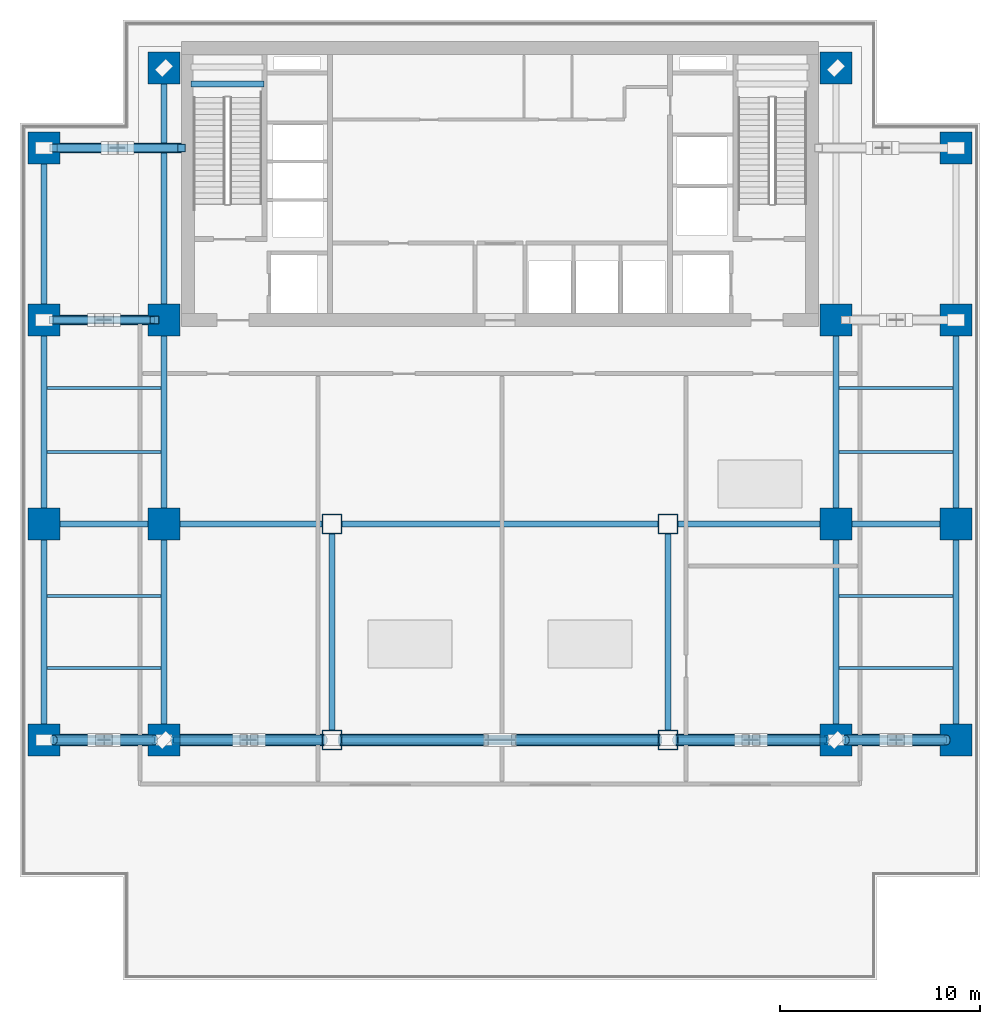
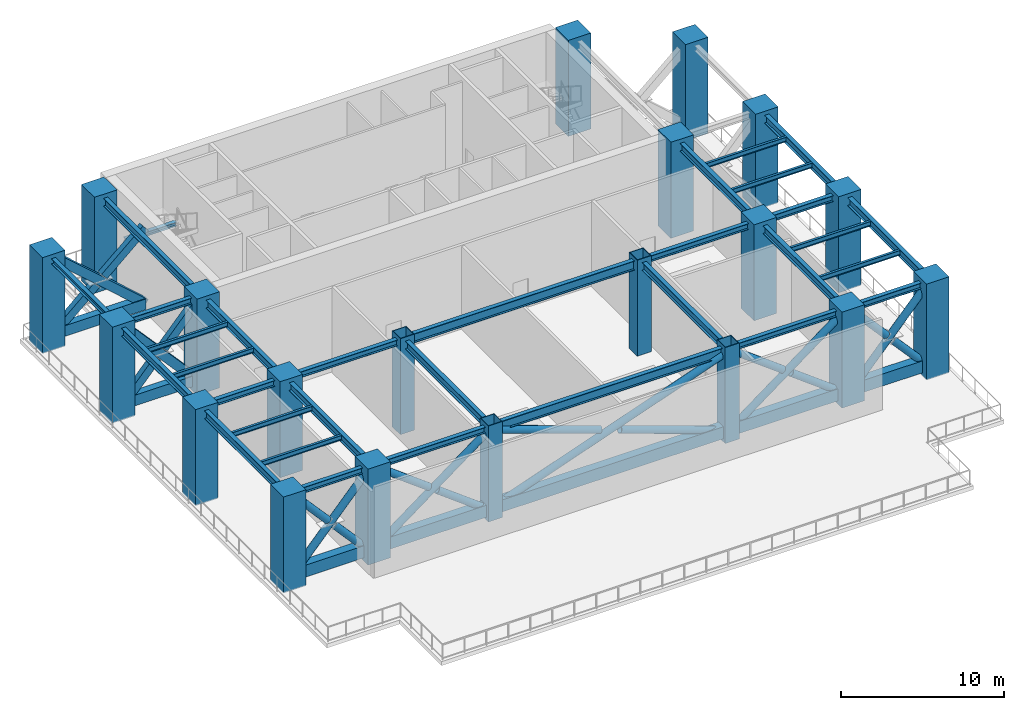
# One storey, part 1 of 8: 39 beams, 21 members, 20 columns.
"""IFC4 building model written with IfcOpenShell, lengths in metres."""

from ifc_helpers import new_model, si_unit, direction, frame, origin, origin_2d, place, context, subcontext, project, spatial, rectangle, hollow_rectangle, hollow_circle, i_section, extrude, source, transform, mapped, material, material_profile, profile_set, type_object, element, save


model = new_model("IFC4")

# Units and contexts
model_context = context("Model", 3, precision=1e-05, world=origin(), true_north=direction((0.0, 1.0)))
body_context = subcontext(model_context, "Body", "Model", "MODEL_VIEW")
ifc_project = project(units=[si_unit("LENGTHUNIT", "METRE"), si_unit("AREAUNIT", "SQUARE_METRE"), si_unit("VOLUMEUNIT", "CUBIC_METRE"), si_unit("PLANEANGLEUNIT", "RADIAN"), si_unit("MASSUNIT", "GRAM", prefix="KILO")], contexts=[model_context])

# Site, building, storey
site_placement = place(None, origin())
site = spatial("IfcSite", under=ifc_project, at=site_placement, CompositionType="ELEMENT")
building_placement = place(site_placement, origin())
building = spatial("IfcBuilding", under=site, at=building_placement, Name="Sumidabori Civic Tower", CompositionType="ELEMENT")
storey_placement = place(building_placement, frame((0.0, 0.0, 189.199951171875)))
storey = spatial("IfcBuildingStorey", under=building, at=storey_placement, Name="L49", CompositionType="ELEMENT", Elevation=189.199951171875)

# Columns
ifc_material_1 = material(Name="Concrete C60/75", Category="concrete")
ifc_material_profile_1 = material_profile(ifc_material_1, rectangle(XDim=1.60009765625, YDim=1.60009765625, at=origin_2d()), Name="RC 1600x1600")
ifc_profile_set_1 = profile_set([ifc_material_profile_1], Name="Concrete C60/75")
column_type_1 = type_object("IfcColumnType", Name="CL-MEGA-1600", PredefinedType="COLUMN", material=ifc_profile_set_1)
shared_shape_1 = source(origin(), body_context, "Body", "SweptSolid", [
    extrude(rectangle(XDim=1.60009765625, YDim=1.60009765625, at=origin_2d()), origin(), (0.0, 0.0, 1.0), 7.199951171875),
])
for number, where, z_axis, x_axis, name in (
    (1, (-16.800048828125, -10.800048828125, 0.0), (0.0, 0.0, 1.0), (1.0, 0.0, 0.0), "Column MC-W16-Y11S L49"),
    (2, (-16.800048828125, 0.0, 0.0), (0.0, 0.0, 1.0), (1.0, 0.0, 0.0), "Column MC-W16-Y00 L49"),
    (3, (-16.800048828125, 10.199951171875, 0.0), (0.0, 0.0, 1.0), (1.0, 0.0, 0.0), "Column MC-W16-Y10N L49"),
    (4, (-16.800048828125, 22.800048828125, 0.0), (0.0, 0.0, 1.0), (1.0, 0.0, 0.0), "Column MC-W16-Y23N L49"),
    (5, (16.800048828125, -10.800048828125, 0.0), (0.0, 0.0, 1.0), (1.0, 0.0, 0.0), "Column MC-E16-Y11S L49"),
    (6, (16.800048828125, 0.0, 0.0), (0.0, 0.0, 1.0), (1.0, 0.0, 0.0), "Column MC-E16-Y00 L49"),
    (7, (16.800048828125, 10.199951171875, 0.0), (0.0, 0.0, 1.0), (1.0, 0.0, 0.0), "Column MC-E16-Y10N L49"),
    (8, (16.800048828125, 22.800048828125, 0.0), (0.0, 0.0, 1.0), (1.0, 0.0, 0.0), "Column MC-E16-Y23N L49"),
    (9, (-22.800048828125, -10.800048828125, 0.0), (0.0, 0.0, 1.0), (1.0, 0.0, 0.0), "Column MC-W23-Y11S L49"),
    (10, (-22.800048828125, 0.0, 0.0), (0.0, 0.0, 1.0), (1.0, 0.0, 0.0), "Column MC-W23-Y00 L49"),
    (11, (-22.800048828125, 10.199951171875, 0.0), (0.0, 0.0, 1.0), (1.0, 0.0, 0.0), "Column MC-W23-Y10N L49"),
    (12, (-22.800048828125, 18.800048828125, 0.0), (0.0, 0.0, 1.0), (1.0, 0.0, 0.0), "Column MC-W23-Y19N L49"),
    (13, (22.800048828125, -10.800048828125, 0.0), (0.0, 0.0, 1.0), (1.0, 0.0, 0.0), "Column MC-E23-Y11S L49"),
    (14, (22.800048828125, 0.0, 0.0), (0.0, 0.0, 1.0), (1.0, 0.0, 0.0), "Column MC-E23-Y00 L49"),
    (15, (22.800048828125, 10.199951171875, 0.0), (0.0, 0.0, 1.0), (1.0, 0.0, 0.0), "Column MC-E23-Y10N L49"),
    (16, (22.800048828125, 18.800048828125, 0.0), (0.0, 0.0, 1.0), (1.0, 0.0, 0.0), "Column MC-E23-Y19N L49"),
):
    element("IfcColumn", number, at=place(storey_placement, frame(where, z_axis=z_axis, x_axis=x_axis)), inside=storey, type_object=column_type_1, Name=name, PredefinedType="COLUMN", context=body_context, shape_type="MappedRepresentation", body=[
        mapped(shared_shape_1, transform((0.0, 0.0, 0.0), x_axis=(1.0, 0.0, 0.0), y_axis=(0.0, 1.0, 0.0), z_axis=(0.0, 0.0, 1.0), scale=1.0)),
    ])
ifc_material_2 = material(Name="Steel SM570", Category="steel")
ifc_material_profile_2 = material_profile(ifc_material_2, hollow_rectangle(XDim=1.0, YDim=1.0, WallThickness=0.044921875, at=origin_2d()), Name="SHS 1000x1000x45")
ifc_profile_set_2 = profile_set([ifc_material_profile_2], Name="Steel SM570")
column_type_2 = type_object("IfcColumnType", Name="CL-PORTAL-SHS1000", PredefinedType="COLUMN", material=ifc_profile_set_2)
shared_shape_2 = source(origin(), body_context, "Body", "SweptSolid", [
    extrude(hollow_rectangle(XDim=1.0, YDim=1.0, WallThickness=0.044921875, at=origin_2d()), origin(), (0.0, 0.0, 1.0), 7.199951171875),
])
for number, where, z_axis, x_axis, name in (
    (17, (-8.39990234375, 0.0, 0.0), (0.0, 0.0, 1.0), (1.0, 0.0, 0.0), "Column MC-W08-Y00 L49"),
    (18, (-8.39990234375, -10.800048828125, 0.0), (0.0, 0.0, 1.0), (1.0, 0.0, 0.0), "Column MC-W08-Y11S L49"),
    (19, (8.39990234375, 0.0, 0.0), (0.0, 0.0, 1.0), (1.0, 0.0, 0.0), "Column MC-E08-Y00 L49"),
    (20, (8.39990234375, -10.800048828125, 0.0), (0.0, 0.0, 1.0), (1.0, 0.0, 0.0), "Column MC-E08-Y11S L49"),
):
    element("IfcColumn", number, at=place(storey_placement, frame(where, z_axis=z_axis, x_axis=x_axis)), inside=storey, type_object=column_type_2, Name=name, PredefinedType="COLUMN", context=body_context, shape_type="MappedRepresentation", body=[
        mapped(shared_shape_2, transform((0.0, 0.0, 0.0), x_axis=(1.0, 0.0, 0.0), y_axis=(0.0, 1.0, 0.0), z_axis=(0.0, 0.0, 1.0), scale=1.0)),
    ])

# Beams
ifc_material_3 = material(Name="Steel SN490", Category="steel")
ifc_material_profile_3 = material_profile(ifc_material_3, i_section(OverallWidth=0.300048828125, OverallDepth=0.300048828125, WebThickness=0.010986328125, FlangeThickness=0.01904296875, at=origin_2d()), Name="HE 300 B")
ifc_profile_set_3 = profile_set([ifc_material_profile_3], Name="Steel SN490")
beam_type_1 = type_object("IfcBeamType", Name="BM-LDG-300", PredefinedType="BEAM", material=ifc_profile_set_3)
shared_shape_3 = source(origin(), body_context, "Body", "SweptSolid", [
    extrude(i_section(OverallWidth=0.300048828125, OverallDepth=0.300048828125, WebThickness=0.010986328125, FlangeThickness=0.01904296875, at=origin_2d()), origin(), (0.0, 0.0, 1.0), 3.64990234375),
])
beam_1_placement = place(storey_placement, frame((-15.449951171875, 22.001708984375, 3.25), z_axis=(1.0, 0.0, 0.0), x_axis=(0.0, 1.0, 0.0)))
element("IfcBeam", 21, at=beam_1_placement, inside=storey, type_object=beam_type_1, Name="Stair ST-1 Landing Support Beam L49-1A", PredefinedType="BEAM", context=body_context, shape_type="MappedRepresentation", body=[
    mapped(shared_shape_3, transform((0.0, 0.0, 0.0), x_axis=(1.0, 0.0, 0.0), y_axis=(0.0, 1.0, 0.0), z_axis=(0.0, 0.0, 1.0), scale=1.0)),
])
ifc_material_profile_4 = material_profile(ifc_material_3, i_section(OverallWidth=0.300048828125, OverallDepth=0.699951171875, WebThickness=0.01708984375, FlangeThickness=0.031982421875, at=origin_2d()), Name="HE 700 B")
ifc_profile_set_4 = profile_set([ifc_material_profile_4], Name="Steel SN490")
beam_type_2 = type_object("IfcBeamType", Name="BM-GIRD-700", PredefinedType="BEAM", material=ifc_profile_set_4)
shared_shape_4 = source(origin(), body_context, "Body", "SweptSolid", [
    extrude(i_section(OverallWidth=0.300048828125, OverallDepth=0.699951171875, WebThickness=0.01708984375, FlangeThickness=0.031982421875, at=origin_2d()), origin(), (0.0, 0.0, 1.0), 15.83984375),
])
for number, where, z_axis, x_axis, name in (
    (22, (-7.919921875, -10.800048828125, 6.590087890625), (1.0, 0.0, 0.0), (0.0, 1.0, 0.0), "Primary Girder L49 GX-03"),
    (23, (-7.919921875, 0.0, 6.590087890625), (1.0, 0.0, 0.0), (0.0, 1.0, 0.0), "Primary Girder L49 GX-08"),
):
    element("IfcBeam", number, at=place(storey_placement, frame(where, z_axis=z_axis, x_axis=x_axis)), inside=storey, type_object=beam_type_2, Name=name, PredefinedType="BEAM", context=body_context, shape_type="MappedRepresentation", body=[
        mapped(shared_shape_4, transform((0.0, 0.0, 0.0), x_axis=(1.0, 0.0, 0.0), y_axis=(0.0, 1.0, 0.0), z_axis=(0.0, 0.0, 1.0), scale=1.0)),
    ])
ifc_material_profile_5 = material_profile(ifc_material_3, i_section(OverallWidth=0.300048828125, OverallDepth=0.60009765625, WebThickness=0.015380859375, FlangeThickness=0.030029296875, at=origin_2d()), Name="HE 600 B")
ifc_profile_set_5 = profile_set([ifc_material_profile_5], Name="Steel SN490")
beam_type_3 = type_object("IfcBeamType", Name="BM-GIRD-600", PredefinedType="BEAM", material=ifc_profile_set_5)
shared_shape_5 = source(origin(), body_context, "Body", "SweptSolid", [
    extrude(i_section(OverallWidth=0.300048828125, OverallDepth=0.60009765625, WebThickness=0.015380859375, FlangeThickness=0.030029296875, at=origin_2d()), origin(), (0.0, 0.0, 1.0), 9.840087890625),
])
for number, where, z_axis, x_axis, name in (
    (24, (-22.800048828125, -10.320068359375, 6.60009765625), (0.0, 1.0, 0.0), (-1.0, 0.0, 0.0), "Primary Girder L49 GY-13"),
    (25, (-16.800048828125, -10.320068359375, 6.60009765625), (0.0, 1.0, 0.0), (-1.0, 0.0, 0.0), "Primary Girder L49 GY-16"),
    (26, (-8.39990234375, -10.320068359375, 6.60009765625), (0.0, 1.0, 0.0), (-1.0, 0.0, 0.0), "Primary Girder L49 GY-19"),
    (27, (8.39990234375, -10.320068359375, 6.60009765625), (0.0, 1.0, 0.0), (-1.0, 0.0, 0.0), "Primary Girder L49 GY-20"),
    (28, (16.800048828125, -10.320068359375, 6.60009765625), (0.0, 1.0, 0.0), (-1.0, 0.0, 0.0), "Primary Girder L49 GY-21"),
    (29, (22.800048828125, -10.320068359375, 6.60009765625), (0.0, 1.0, 0.0), (-1.0, 0.0, 0.0), "Primary Girder L49 GY-24"),
):
    element("IfcBeam", number, at=place(storey_placement, frame(where, z_axis=z_axis, x_axis=x_axis)), inside=storey, type_object=beam_type_3, Name=name, PredefinedType="BEAM", context=body_context, shape_type="MappedRepresentation", body=[
        mapped(shared_shape_5, transform((0.0, 0.0, 0.0), x_axis=(1.0, 0.0, 0.0), y_axis=(0.0, 1.0, 0.0), z_axis=(0.0, 0.0, 1.0), scale=1.0)),
    ])
shared_shape_6 = source(origin(), body_context, "Body", "SweptSolid", [
    extrude(i_section(OverallWidth=0.300048828125, OverallDepth=0.60009765625, WebThickness=0.015380859375, FlangeThickness=0.030029296875, at=origin_2d()), origin(), (0.0, 0.0, 1.0), 9.239990234375),
])
for number, where, z_axis, x_axis, name in (
    (30, (-22.800048828125, 0.47998046875, 6.60009765625), (0.0, 1.0, 0.0), (-1.0, 0.0, 0.0), "Primary Girder L49 GY-14"),
    (31, (-16.800048828125, 0.47998046875, 6.60009765625), (0.0, 1.0, 0.0), (-1.0, 0.0, 0.0), "Primary Girder L49 GY-17"),
    (32, (16.800048828125, 0.47998046875, 6.60009765625), (0.0, 1.0, 0.0), (-1.0, 0.0, 0.0), "Primary Girder L49 GY-22"),
    (33, (22.800048828125, 0.47998046875, 6.60009765625), (0.0, 1.0, 0.0), (-1.0, 0.0, 0.0), "Primary Girder L49 GY-25"),
):
    element("IfcBeam", number, at=place(storey_placement, frame(where, z_axis=z_axis, x_axis=x_axis)), inside=storey, type_object=beam_type_3, Name=name, PredefinedType="BEAM", context=body_context, shape_type="MappedRepresentation", body=[
        mapped(shared_shape_6, transform((0.0, 0.0, 0.0), x_axis=(1.0, 0.0, 0.0), y_axis=(0.0, 1.0, 0.0), z_axis=(0.0, 0.0, 1.0), scale=1.0)),
    ])
ifc_material_profile_6 = material_profile(ifc_material_3, i_section(OverallWidth=0.300048828125, OverallDepth=0.39990234375, WebThickness=0.013427734375, FlangeThickness=0.02392578125, at=origin_2d()), Name="HE 400 B")
ifc_profile_set_6 = profile_set([ifc_material_profile_6], Name="Steel SN490")
beam_type_4 = type_object("IfcBeamType", Name="BM-GIRD-400", PredefinedType="BEAM", material=ifc_profile_set_6)
shared_shape_7 = source(origin(), body_context, "Body", "SweptSolid", [
    extrude(i_section(OverallWidth=0.300048828125, OverallDepth=0.39990234375, WebThickness=0.013427734375, FlangeThickness=0.02392578125, at=origin_2d()), origin(), (0.0, 0.0, 1.0), 7.64013671875),
])
beam_2_placement = place(storey_placement, frame((-22.800048828125, 10.679931640625, 6.699951171875), z_axis=(0.0, 1.0, 0.0), x_axis=(-1.0, 0.0, 0.0)))
element("IfcBeam", 34, at=beam_2_placement, inside=storey, type_object=beam_type_4, Name="Primary Girder L49 GY-15", PredefinedType="BEAM", context=body_context, shape_type="MappedRepresentation", body=[
    mapped(shared_shape_7, transform((0.0, 0.0, 0.0), x_axis=(1.0, 0.0, 0.0), y_axis=(0.0, 1.0, 0.0), z_axis=(0.0, 0.0, 1.0), scale=1.0)),
])
shared_shape_8 = source(origin(), body_context, "Body", "SweptSolid", [
    extrude(i_section(OverallWidth=0.300048828125, OverallDepth=0.60009765625, WebThickness=0.015380859375, FlangeThickness=0.030029296875, at=origin_2d()), origin(), (0.0, 0.0, 1.0), 11.64013671875),
])
beam_3_placement = place(storey_placement, frame((-16.800048828125, 10.679931640625, 6.60009765625), z_axis=(0.0, 1.0, 0.0), x_axis=(-1.0, 0.0, 0.0)))
element("IfcBeam", 35, at=beam_3_placement, inside=storey, type_object=beam_type_3, Name="Primary Girder L49 GY-18", PredefinedType="BEAM", context=body_context, shape_type="MappedRepresentation", body=[
    mapped(shared_shape_8, transform((0.0, 0.0, 0.0), x_axis=(1.0, 0.0, 0.0), y_axis=(0.0, 1.0, 0.0), z_axis=(0.0, 0.0, 1.0), scale=1.0)),
])
ifc_material_profile_7 = material_profile(ifc_material_3, i_section(OverallWidth=0.169921875, OverallDepth=0.360107421875, WebThickness=0.008056640625, FlangeThickness=0.0126953125, at=origin_2d()), Name="IPE 360")
ifc_profile_set_7 = profile_set([ifc_material_profile_7], Name="Steel SN490")
beam_type_5 = type_object("IfcBeamType", Name="BM-JST-360", PredefinedType="JOIST", material=ifc_profile_set_7)
shared_shape_9 = source(origin(), body_context, "Body", "SweptSolid", [
    extrude(i_section(OverallWidth=0.169921875, OverallDepth=0.360107421875, WebThickness=0.008056640625, FlangeThickness=0.0126953125, at=origin_2d()), origin(), (0.0, 0.0, 1.0), 5.699951171875),
])
for number, where, z_axis, x_axis, name in (
    (36, (-22.64990234375, -7.199951171875, 6.719970703125), (1.0, 0.0, 0.0), (0.0, 1.0, 0.0), "Outer Bay Floor Joist L49 JSTO-27"),
    (37, (16.949951171875, -7.199951171875, 6.719970703125), (1.0, 0.0, 0.0), (0.0, 1.0, 0.0), "Outer Bay Floor Joist L49 JSTO-28"),
    (38, (-22.64990234375, -3.60009765625, 6.719970703125), (1.0, 0.0, 0.0), (0.0, 1.0, 0.0), "Outer Bay Floor Joist L49 JSTO-29"),
    (39, (16.949951171875, -3.60009765625, 6.719970703125), (1.0, 0.0, 0.0), (0.0, 1.0, 0.0), "Outer Bay Floor Joist L49 JSTO-30"),
    (40, (-22.64990234375, 3.60009765625, 6.719970703125), (1.0, 0.0, 0.0), (0.0, 1.0, 0.0), "Outer Bay Floor Joist L49 JSTO-31"),
    (41, (16.949951171875, 3.60009765625, 6.719970703125), (1.0, 0.0, 0.0), (0.0, 1.0, 0.0), "Outer Bay Floor Joist L49 JSTO-32"),
    (42, (-22.64990234375, 6.800048828125, 6.719970703125), (1.0, 0.0, 0.0), (0.0, 1.0, 0.0), "Outer Bay Floor Joist L49 JSTO-33"),
    (43, (16.949951171875, 6.800048828125, 6.719970703125), (1.0, 0.0, 0.0), (0.0, 1.0, 0.0), "Outer Bay Floor Joist L49 JSTO-34"),
):
    element("IfcBeam", number, at=place(storey_placement, frame(where, z_axis=z_axis, x_axis=x_axis)), inside=storey, type_object=beam_type_5, Name=name, PredefinedType="JOIST", context=body_context, shape_type="MappedRepresentation", body=[
        mapped(shared_shape_9, transform((0.0, 0.0, 0.0), x_axis=(1.0, 0.0, 0.0), y_axis=(0.0, 1.0, 0.0), z_axis=(0.0, 0.0, 1.0), scale=1.0)),
    ])
ifc_material_profile_8 = material_profile(ifc_material_3, i_section(OverallWidth=0.300048828125, OverallDepth=0.449951171875, WebThickness=0.013916015625, FlangeThickness=0.02587890625, at=origin_2d()), Name="HE 450 B")
ifc_profile_set_8 = profile_set([ifc_material_profile_8], Name="Steel SN490")
beam_type_6 = type_object("IfcBeamType", Name="BM-GIRD-450", PredefinedType="BEAM", material=ifc_profile_set_8)
shared_shape_10 = source(origin(), body_context, "Body", "SweptSolid", [
    extrude(i_section(OverallWidth=0.300048828125, OverallDepth=0.449951171875, WebThickness=0.013916015625, FlangeThickness=0.02587890625, at=origin_2d()), origin(), (0.0, 0.0, 1.0), 7.440185546875),
])
for number, where, z_axis, x_axis, name in (
    (44, (-16.320068359375, -10.800048828125, 6.675048828125), (1.0, 0.0, 0.0), (0.0, 1.0, 0.0), "Primary Girder L49 GX-02"),
    (45, (8.8798828125, -10.800048828125, 6.675048828125), (1.0, 0.0, 0.0), (0.0, 1.0, 0.0), "Primary Girder L49 GX-04"),
    (46, (-16.320068359375, 0.0, 6.675048828125), (1.0, 0.0, 0.0), (0.0, 1.0, 0.0), "Primary Girder L49 GX-07"),
    (47, (8.8798828125, 0.0, 6.675048828125), (1.0, 0.0, 0.0), (0.0, 1.0, 0.0), "Primary Girder L49 GX-09"),
):
    element("IfcBeam", number, at=place(storey_placement, frame(where, z_axis=z_axis, x_axis=x_axis)), inside=storey, type_object=beam_type_6, Name=name, PredefinedType="BEAM", context=body_context, shape_type="MappedRepresentation", body=[
        mapped(shared_shape_10, transform((0.0, 0.0, 0.0), x_axis=(1.0, 0.0, 0.0), y_axis=(0.0, 1.0, 0.0), z_axis=(0.0, 0.0, 1.0), scale=1.0)),
    ])
shared_shape_11 = source(origin(), body_context, "Body", "SweptSolid", [
    extrude(i_section(OverallWidth=0.300048828125, OverallDepth=0.449951171875, WebThickness=0.013916015625, FlangeThickness=0.02587890625, at=origin_2d()), origin(), (0.0, 0.0, 1.0), 5.0400390625),
])
for number, where, z_axis, x_axis, name in (
    (48, (-22.320068359375, -10.800048828125, 6.675048828125), (1.0, 0.0, 0.0), (0.0, 1.0, 0.0), "Primary Girder L49 GX-01"),
    (49, (17.280029296875, -10.800048828125, 6.675048828125), (1.0, 0.0, 0.0), (0.0, 1.0, 0.0), "Primary Girder L49 GX-05"),
    (50, (-22.320068359375, 0.0, 6.675048828125), (1.0, 0.0, 0.0), (0.0, 1.0, 0.0), "Primary Girder L49 GX-06"),
    (51, (17.280029296875, 0.0, 6.675048828125), (1.0, 0.0, 0.0), (0.0, 1.0, 0.0), "Primary Girder L49 GX-10"),
    (52, (-22.320068359375, 10.199951171875, 6.675048828125), (1.0, 0.0, 0.0), (0.0, 1.0, 0.0), "Primary Girder L49 GX-11"),
):
    element("IfcBeam", number, at=place(storey_placement, frame(where, z_axis=z_axis, x_axis=x_axis)), inside=storey, type_object=beam_type_6, Name=name, PredefinedType="BEAM", context=body_context, shape_type="MappedRepresentation", body=[
        mapped(shared_shape_11, transform((0.0, 0.0, 0.0), x_axis=(1.0, 0.0, 0.0), y_axis=(0.0, 1.0, 0.0), z_axis=(0.0, 0.0, 1.0), scale=1.0)),
    ])
ifc_material_profile_9 = material_profile(ifc_material_3, hollow_rectangle(XDim=0.60009765625, YDim=0.89990234375, WallThickness=0.0400390625, at=origin_2d()), Name="RHS 900x600x40")
ifc_profile_set_9 = profile_set([ifc_material_profile_9], Name="Steel SN490")
beam_type_7 = type_object("IfcBeamType", Name="BM-BELT-CHORD", PredefinedType="BEAM", material=ifc_profile_set_9)
shared_shape_12 = source(origin(), body_context, "Body", "SweptSolid", [
    extrude(hollow_rectangle(XDim=0.60009765625, YDim=0.89990234375, WallThickness=0.0400390625, at=origin_2d()), origin(), (0.0, 0.0, 1.0), 5.0400390625),
])
for number, where, z_axis, x_axis, name in (
    (53, (-22.320068359375, -10.800048828125, 0.699951171875), (1.0, 0.0, 0.0), (0.0, 1.0, 0.0), "Belt Truss Bottom Chord L49-1"),
    (54, (17.280029296875, -10.800048828125, 0.699951171875), (1.0, 0.0, 0.0), (0.0, 1.0, 0.0), "Belt Truss Bottom Chord L49-5"),
):
    element("IfcBeam", number, at=place(storey_placement, frame(where, z_axis=z_axis, x_axis=x_axis)), inside=storey, type_object=beam_type_7, Name=name, PredefinedType="BEAM", context=body_context, shape_type="MappedRepresentation", body=[
        mapped(shared_shape_12, transform((0.0, 0.0, 0.0), x_axis=(1.0, 0.0, 0.0), y_axis=(0.0, 1.0, 0.0), z_axis=(0.0, 0.0, 1.0), scale=1.0)),
    ])

# Members
ifc_material_profile_10 = material_profile(ifc_material_3, hollow_circle(Radius=0.25390625, WallThickness=0.02490234375, at=origin_2d()), Name="CHS 508x25")
ifc_profile_set_10 = profile_set([ifc_material_profile_10], Name="Steel SN490")
member_type_1 = type_object("IfcMemberType", Name="MB-BT-DIAG", PredefinedType="BRACE", material=ifc_profile_set_10)
shared_shape_13 = source(origin(), body_context, "Body", "SweptSolid", [
    extrude(hollow_circle(Radius=0.25390625, WallThickness=0.02490234375, at=origin_2d()), origin(), (0.0, 0.0, 1.0), 7.5712890625),
])
for number, where, z_axis, x_axis, name in (
    (55, (-22.320068359375, -10.800048828125, 0.699951171875), (0.665667751905, 0.0, 0.746248245608), (0.0, 1.0, 0.0), "Belt Truss Diagonal L49-D1-1"),
    (56, (17.280029296875, -10.800048828125, 0.699951171875), (0.665667751905, 0.0, 0.746248245608), (0.0, 1.0, 0.0), "Belt Truss Diagonal L49-D1-5"),
):
    element("IfcMember", number, at=place(storey_placement, frame(where, z_axis=z_axis, x_axis=x_axis)), inside=storey, type_object=member_type_1, Name=name, PredefinedType="BRACE", context=body_context, shape_type="MappedRepresentation", body=[
        mapped(shared_shape_13, transform((0.0, 0.0, 0.0), x_axis=(1.0, 0.0, 0.0), y_axis=(0.0, 1.0, 0.0), z_axis=(0.0, 0.0, 1.0), scale=1.0)),
    ])
shared_shape_14 = source(origin(), body_context, "Body", "SweptSolid", [
    extrude(hollow_circle(Radius=0.25390625, WallThickness=0.02490234375, at=origin_2d()), origin(), (0.0, 0.0, 1.0), 3.48876953125),
])
for number, where, z_axis, x_axis, name in (
    (57, (-22.320068359375, -10.800048828125, 6.35009765625), (0.665687524963, 0.0, -0.746230607191), (0.0, 1.0, 0.0), "Belt Truss Diagonal L49-D2-1 Lower Segment"),
    (58, (-19.602294921875, -10.800048828125, 3.303466796875), (0.665648555055, 0.0, -0.746265369124), (0.0, 1.0, 0.0), "Belt Truss Diagonal L49-D2-1 Upper Segment"),
    (59, (17.280029296875, -10.800048828125, 6.35009765625), (0.665648555055, 0.0, -0.746265369124), (0.0, 1.0, 0.0), "Belt Truss Diagonal L49-D2-5 Lower Segment"),
    (60, (19.99755859375, -10.800048828125, 3.303466796875), (0.665687524963, 0.0, -0.746230607191), (0.0, 1.0, 0.0), "Belt Truss Diagonal L49-D2-5 Upper Segment"),
):
    element("IfcMember", number, at=place(storey_placement, frame(where, z_axis=z_axis, x_axis=x_axis)), inside=storey, type_object=member_type_1, Name=name, PredefinedType="BRACE", context=body_context, shape_type="MappedRepresentation", body=[
        mapped(shared_shape_14, transform((0.0, 0.0, 0.0), x_axis=(1.0, 0.0, 0.0), y_axis=(0.0, 1.0, 0.0), z_axis=(0.0, 0.0, 1.0), scale=1.0)),
    ])

# Beam
ifc_material_profile_11 = material_profile(ifc_material_3, hollow_rectangle(XDim=0.5, YDim=0.800048828125, WallThickness=0.031982421875, at=origin_2d()), Name="RHS 800x500x32")
ifc_profile_set_11 = profile_set([ifc_material_profile_11], Name="Steel SN490")
beam_type_8 = type_object("IfcBeamType", Name="BM-OUTR-CHORD", PredefinedType="BEAM", material=ifc_profile_set_11)
shared_shape_15 = source(origin(), body_context, "Body", "SweptSolid", [
    extrude(hollow_rectangle(XDim=0.5, YDim=0.800048828125, WallThickness=0.031982421875, at=origin_2d()), origin(), (0.0, 0.0, 1.0), 5.0400390625),
])
beam_4_placement = place(storey_placement, frame((-17.280029296875, 10.199951171875, 0.699951171875), z_axis=(-1.0, 0.0, 0.0), x_axis=(0.0, -1.0, 0.0)))
element("IfcBeam", 61, at=beam_4_placement, inside=storey, type_object=beam_type_8, Name="Outrigger Truss Chord L49 W1", PredefinedType="BEAM", context=body_context, shape_type="MappedRepresentation", body=[
    mapped(shared_shape_15, transform((0.0, 0.0, 0.0), x_axis=(1.0, 0.0, 0.0), y_axis=(0.0, 1.0, 0.0), z_axis=(0.0, 0.0, 1.0), scale=1.0)),
])

# Members
ifc_material_profile_12 = material_profile(ifc_material_3, hollow_rectangle(XDim=0.39990234375, YDim=0.60009765625, WallThickness=0.02490234375, at=origin_2d()), Name="RHS 600x400x25")
ifc_profile_set_12 = profile_set([ifc_material_profile_12], Name="Steel SN490")
member_type_2 = type_object("IfcMemberType", Name="MB-OT-DIAG", PredefinedType="BRACE", material=ifc_profile_set_12)
shared_shape_16 = source(origin(), body_context, "Body", "SweptSolid", [
    extrude(hollow_rectangle(XDim=0.39990234375, YDim=0.60009765625, WallThickness=0.02490234375, at=origin_2d()), origin(), (0.0, 0.0, 1.0), 7.5712890625),
])
member_1_placement = place(storey_placement, frame((-17.280029296875, 10.199951171875, 0.699951171875), z_axis=(-0.665667751905, 0.0, 0.746248245608), x_axis=(0.0, -1.0, 0.0)))
element("IfcMember", 62, at=member_1_placement, inside=storey, type_object=member_type_2, Name="Outrigger Truss Diagonal L49 W1A", PredefinedType="BRACE", context=body_context, shape_type="MappedRepresentation", body=[
    mapped(shared_shape_16, transform((0.0, 0.0, 0.0), x_axis=(1.0, 0.0, 0.0), y_axis=(0.0, 1.0, 0.0), z_axis=(0.0, 0.0, 1.0), scale=1.0)),
])
shared_shape_17 = source(origin(), body_context, "Body", "SweptSolid", [
    extrude(hollow_rectangle(XDim=0.39990234375, YDim=0.60009765625, WallThickness=0.02490234375, at=origin_2d()), origin(), (0.0, 0.0, 1.0), 3.437255859375),
])
for number, where, z_axis, x_axis, name in (
    (63, (-17.280029296875, 10.199951171875, 6.35009765625), (-0.665685410802, 0.0, -0.746232493159), (0.0, -1.0, 0.0), "Outrigger Truss Diagonal L49 W1B Lower Segment"),
    (64, (-20.031982421875, 10.199951171875, 3.26513671875), (-0.665650127754, 0.0, -0.746263966316), (0.0, -1.0, 0.0), "Outrigger Truss Diagonal L49 W1B Upper Segment"),
):
    element("IfcMember", number, at=place(storey_placement, frame(where, z_axis=z_axis, x_axis=x_axis)), inside=storey, type_object=member_type_2, Name=name, PredefinedType="BRACE", context=body_context, shape_type="MappedRepresentation", body=[
        mapped(shared_shape_17, transform((0.0, 0.0, 0.0), x_axis=(1.0, 0.0, 0.0), y_axis=(0.0, 1.0, 0.0), z_axis=(0.0, 0.0, 1.0), scale=1.0)),
    ])

# Beam
shared_shape_18 = source(origin(), body_context, "Body", "SweptSolid", [
    extrude(hollow_rectangle(XDim=0.5, YDim=0.800048828125, WallThickness=0.031982421875, at=origin_2d()), origin(), (0.0, 0.0, 1.0), 6.39501953125),
])
beam_5_placement = place(storey_placement, frame((-15.925048828125, 18.800048828125, 0.699951171875), z_axis=(-1.0, 0.0, 0.0), x_axis=(0.0, -1.0, 0.0)))
element("IfcBeam", 65, at=beam_5_placement, inside=storey, type_object=beam_type_8, Name="Outrigger Truss Chord L49 W2", PredefinedType="BEAM", context=body_context, shape_type="MappedRepresentation", body=[
    mapped(shared_shape_18, transform((0.0, 0.0, 0.0), x_axis=(1.0, 0.0, 0.0), y_axis=(0.0, 1.0, 0.0), z_axis=(0.0, 0.0, 1.0), scale=1.0)),
])

# Members
shared_shape_19 = source(origin(), body_context, "Body", "SweptSolid", [
    extrude(hollow_rectangle(XDim=0.39990234375, YDim=0.60009765625, WallThickness=0.02490234375, at=origin_2d()), origin(), (0.0, 0.0, 1.0), 8.533447265625),
])
member_2_placement = place(storey_placement, frame((-15.925048828125, 18.800048828125, 0.699951171875), z_axis=(-0.749402703282, 0.0, 0.662114482785), x_axis=(0.0, -1.0, 0.0)))
element("IfcMember", 66, at=member_2_placement, inside=storey, type_object=member_type_2, Name="Outrigger Truss Diagonal L49 W2A", PredefinedType="BRACE", context=body_context, shape_type="MappedRepresentation", body=[
    mapped(shared_shape_19, transform((0.0, 0.0, 0.0), x_axis=(1.0, 0.0, 0.0), y_axis=(0.0, 1.0, 0.0), z_axis=(0.0, 0.0, 1.0), scale=1.0)),
])
shared_shape_20 = source(origin(), body_context, "Body", "SweptSolid", [
    extrude(hollow_rectangle(XDim=0.39990234375, YDim=0.60009765625, WallThickness=0.02490234375, at=origin_2d()), origin(), (0.0, 0.0, 1.0), 3.9150390625),
])
member_3_placement = place(storey_placement, frame((-15.925048828125, 18.800048828125, 6.35009765625), z_axis=(-0.749380895254, 0.0, -0.662139165001), x_axis=(0.0, -1.0, 0.0)))
element("IfcMember", 67, at=member_3_placement, inside=storey, type_object=member_type_2, Name="Outrigger Truss Diagonal L49 W2B Lower Segment", PredefinedType="BRACE", context=body_context, shape_type="MappedRepresentation", body=[
    mapped(shared_shape_20, transform((0.0, 0.0, 0.0), x_axis=(1.0, 0.0, 0.0), y_axis=(0.0, 1.0, 0.0), z_axis=(0.0, 0.0, 1.0), scale=1.0)),
])

# Beams
shared_shape_21 = source(origin(), body_context, "Body", "SweptSolid", [
    extrude(hollow_rectangle(XDim=0.60009765625, YDim=0.89990234375, WallThickness=0.0400390625, at=origin_2d()), origin(), (0.0, 0.0, 1.0), 7.5400390625),
])
for number, where, z_axis, x_axis, name in (
    (68, (-16.320068359375, -10.800048828125, 0.699951171875), (1.0, 0.0, 0.0), (0.0, 1.0, 0.0), "Belt Truss Bottom Chord L49-2"),
    (69, (8.780029296875, -10.800048828125, 0.699951171875), (1.0, 0.0, 0.0), (0.0, 1.0, 0.0), "Belt Truss Bottom Chord L49-4"),
):
    element("IfcBeam", number, at=place(storey_placement, frame(where, z_axis=z_axis, x_axis=x_axis)), inside=storey, type_object=beam_type_7, Name=name, PredefinedType="BEAM", context=body_context, shape_type="MappedRepresentation", body=[
        mapped(shared_shape_21, transform((0.0, 0.0, 0.0), x_axis=(1.0, 0.0, 0.0), y_axis=(0.0, 1.0, 0.0), z_axis=(0.0, 0.0, 1.0), scale=1.0)),
    ])

# Members
shared_shape_22 = source(origin(), body_context, "Body", "SweptSolid", [
    extrude(hollow_circle(Radius=0.25390625, WallThickness=0.02490234375, at=origin_2d()), origin(), (0.0, 0.0, 1.0), 9.422119140625),
])
for number, where, z_axis, x_axis, name in (
    (70, (-16.320068359375, -10.800048828125, 0.699951171875), (0.800248681, 0.0, 0.5996682821), (0.0, 1.0, 0.0), "Belt Truss Diagonal L49-D1-2"),
    (71, (8.780029296875, -10.800048828125, 0.699951171875), (0.800248681, 0.0, 0.5996682821), (0.0, 1.0, 0.0), "Belt Truss Diagonal L49-D1-4"),
):
    element("IfcMember", number, at=place(storey_placement, frame(where, z_axis=z_axis, x_axis=x_axis)), inside=storey, type_object=member_type_1, Name=name, PredefinedType="BRACE", context=body_context, shape_type="MappedRepresentation", body=[
        mapped(shared_shape_22, transform((0.0, 0.0, 0.0), x_axis=(1.0, 0.0, 0.0), y_axis=(0.0, 1.0, 0.0), z_axis=(0.0, 0.0, 1.0), scale=1.0)),
    ])
shared_shape_23 = source(origin(), body_context, "Body", "SweptSolid", [
    extrude(hollow_circle(Radius=0.25390625, WallThickness=0.02490234375, at=origin_2d()), origin(), (0.0, 0.0, 1.0), 4.359619140625),
])
for number, where, z_axis, x_axis, name in (
    (72, (-16.320068359375, -10.800048828125, 6.35009765625), (0.800255292423, 0.0, -0.599659459151), (0.0, 1.0, 0.0), "Belt Truss Diagonal L49-D2-2 Lower Segment"),
    (73, (-12.268798828125, -10.800048828125, 3.314208984375), (0.800255292423, 0.0, -0.599659459151), (0.0, 1.0, 0.0), "Belt Truss Diagonal L49-D2-2 Upper Segment"),
    (74, (8.780029296875, -10.800048828125, 6.35009765625), (0.800255292423, 0.0, -0.599659459151), (0.0, 1.0, 0.0), "Belt Truss Diagonal L49-D2-4 Lower Segment"),
    (75, (12.831298828125, -10.800048828125, 3.314208984375), (0.800255292423, 0.0, -0.599659459151), (0.0, 1.0, 0.0), "Belt Truss Diagonal L49-D2-4 Upper Segment"),
):
    element("IfcMember", number, at=place(storey_placement, frame(where, z_axis=z_axis, x_axis=x_axis)), inside=storey, type_object=member_type_1, Name=name, PredefinedType="BRACE", context=body_context, shape_type="MappedRepresentation", body=[
        mapped(shared_shape_23, transform((0.0, 0.0, 0.0), x_axis=(1.0, 0.0, 0.0), y_axis=(0.0, 1.0, 0.0), z_axis=(0.0, 0.0, 1.0), scale=1.0)),
    ])

# Beam
shared_shape_24 = source(origin(), body_context, "Body", "SweptSolid", [
    extrude(hollow_rectangle(XDim=0.60009765625, YDim=0.89990234375, WallThickness=0.0400390625, at=origin_2d()), origin(), (0.0, 0.0, 1.0), 16.0400390625),
])
beam_6_placement = place(storey_placement, frame((-8.02001953125, -10.800048828125, 0.699951171875), z_axis=(1.0, 0.0, 0.0), x_axis=(0.0, 1.0, 0.0)))
element("IfcBeam", 76, at=beam_6_placement, inside=storey, type_object=beam_type_7, Name="Belt Truss Bottom Chord L49-3", PredefinedType="BEAM", context=body_context, shape_type="MappedRepresentation", body=[
    mapped(shared_shape_24, transform((0.0, 0.0, 0.0), x_axis=(1.0, 0.0, 0.0), y_axis=(0.0, 1.0, 0.0), z_axis=(0.0, 0.0, 1.0), scale=1.0)),
])

# Members
shared_shape_25 = source(origin(), body_context, "Body", "SweptSolid", [
    extrude(hollow_circle(Radius=0.25390625, WallThickness=0.02490234375, at=origin_2d()), origin(), (0.0, 0.0, 1.0), 17.006103515625),
])
member_4_placement = place(storey_placement, frame((-8.02001953125, -10.800048828125, 0.699951171875), z_axis=(0.943193968827, 0.0, 0.332242587832), x_axis=(0.0, 1.0, 0.0)))
element("IfcMember", 77, at=member_4_placement, inside=storey, type_object=member_type_1, Name="Belt Truss Diagonal L49-D1-3", PredefinedType="BRACE", context=body_context, shape_type="MappedRepresentation", body=[
    mapped(shared_shape_25, transform((0.0, 0.0, 0.0), x_axis=(1.0, 0.0, 0.0), y_axis=(0.0, 1.0, 0.0), z_axis=(0.0, 0.0, 1.0), scale=1.0)),
])
shared_shape_26 = source(origin(), body_context, "Body", "SweptSolid", [
    extrude(hollow_circle(Radius=0.25390625, WallThickness=0.02490234375, at=origin_2d()), origin(), (0.0, 0.0, 1.0), 7.7626953125),
])
for number, where, z_axis, x_axis, name in (
    (78, (-8.02001953125, -10.800048828125, 6.35009765625), (0.943194534357, 0.0, -0.332240982359), (0.0, 1.0, 0.0), "Belt Truss Diagonal L49-D2-3 Lower Segment"),
    (79, (0.6982421875, -10.800048828125, 3.279052734375), (0.943194534357, 0.0, -0.332240982359), (0.0, 1.0, 0.0), "Belt Truss Diagonal L49-D2-3 Upper Segment"),
):
    element("IfcMember", number, at=place(storey_placement, frame(where, z_axis=z_axis, x_axis=x_axis)), inside=storey, type_object=member_type_1, Name=name, PredefinedType="BRACE", context=body_context, shape_type="MappedRepresentation", body=[
        mapped(shared_shape_26, transform((0.0, 0.0, 0.0), x_axis=(1.0, 0.0, 0.0), y_axis=(0.0, 1.0, 0.0), z_axis=(0.0, 0.0, 1.0), scale=1.0)),
    ])
shared_shape_27 = source(origin(), body_context, "Body", "SweptSolid", [
    extrude(hollow_rectangle(XDim=0.39990234375, YDim=0.60009765625, WallThickness=0.02490234375, at=origin_2d()), origin(), (0.0, 0.0, 1.0), 3.915283203125),
])
member_5_placement = place(storey_placement, frame((-19.385986328125, 18.800048828125, 3.292236328125), z_axis=(-0.749408233754, 0.0, -0.662108223165), x_axis=(0.0, -1.0, 0.0)))
element("IfcMember", 80, at=member_5_placement, inside=storey, type_object=member_type_2, Name="Outrigger Truss Diagonal L49 W2B Upper Segment", PredefinedType="BRACE", context=body_context, shape_type="MappedRepresentation", body=[
    mapped(shared_shape_27, transform((0.0, 0.0, 0.0), x_axis=(1.0, 0.0, 0.0), y_axis=(0.0, 1.0, 0.0), z_axis=(0.0, 0.0, 1.0), scale=1.0)),
])

save(model, "model.ifc")
